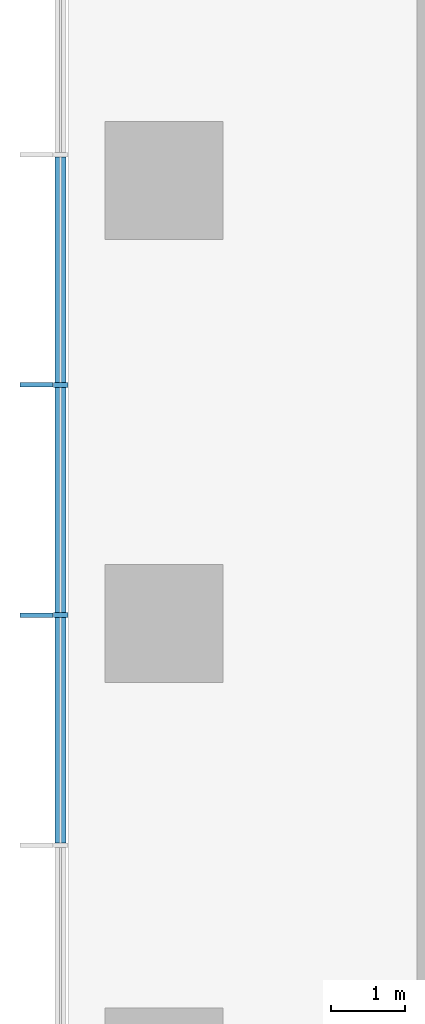
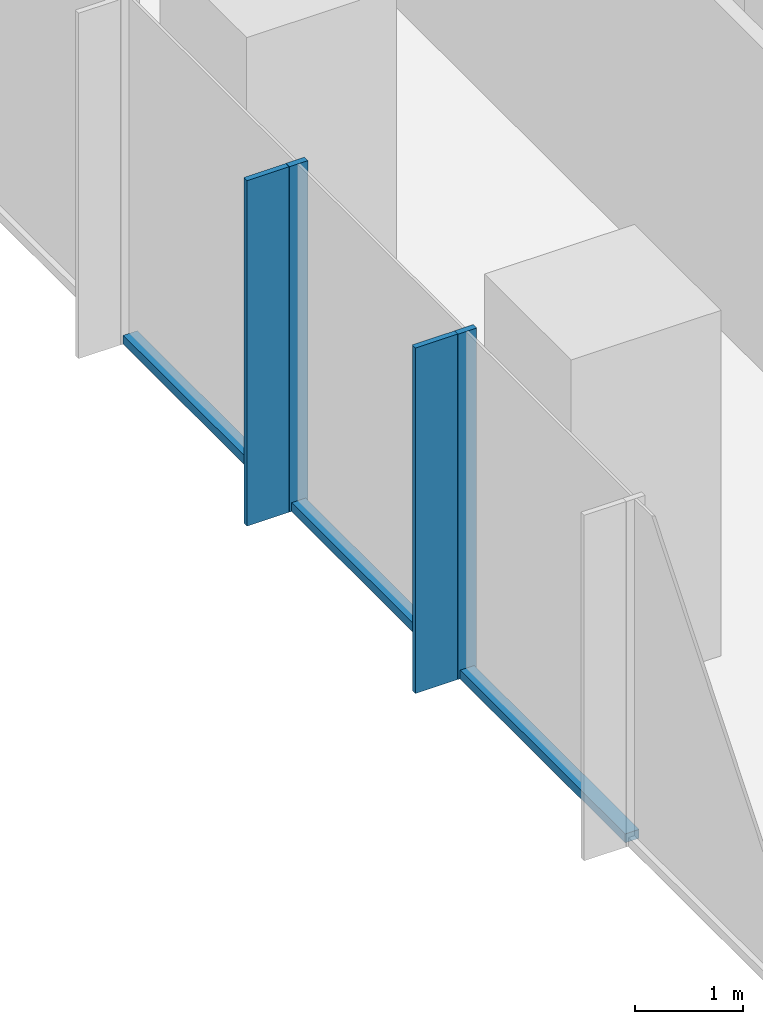
# One storey, part 3 of 11: 7 members, 1 element without a shape of its own.
"""IFC4 building model written with IfcOpenShell, lengths in metres."""

from ifc_helpers import new_model, si_unit, direction, frame, origin, origin_2d, place, context, subcontext, project, spatial, rectangle, extrude, material, layer, layer_set, material_profile, profile_set, type_object, element, aggregate, save


model = new_model("IFC4")

# Units and contexts
model_context = context("Model", 3, precision=1e-05, world=origin(), true_north=direction((0.0, 1.0)))
body_context = subcontext(model_context, "Body", "Model", "MODEL_VIEW")
ifc_project = project(units=[si_unit("LENGTHUNIT", "METRE"), si_unit("AREAUNIT", "SQUARE_METRE"), si_unit("VOLUMEUNIT", "CUBIC_METRE"), si_unit("PLANEANGLEUNIT", "RADIAN"), si_unit("MASSUNIT", "GRAM", prefix="KILO")], contexts=[model_context])

# Site, building, storey
site_placement = place(None, origin())
site = spatial("IfcSite", under=ifc_project, at=site_placement, CompositionType="ELEMENT")
building_placement = place(site_placement, origin())
building = spatial("IfcBuilding", under=site, at=building_placement, Name="Highveld Stack Headquarters", CompositionType="ELEMENT")
storey_placement = place(building_placement, frame((0.0, 0.0, 181.10009765625)))
storey = spatial("IfcBuildingStorey", under=building, at=storey_placement, Name="L44", CompositionType="ELEMENT", Elevation=181.10009765625)

# Curtain wall, members
ifc_material_1 = material(Name="Aluminium bronze anodised", Category="aluminium")
ifc_layer = layer(ifc_material_1, 0.199951171875)
ifc_layer_set = layer_set([ifc_layer], Name="Aluminium bronze anodised")
curtain_wall_type = type_object("IfcCurtainWallType", Name="CW1 TOWER UNITISED CURTAIN WALL", PredefinedType="NOTDEFINED", material=ifc_layer_set)
curtain_wall_placement = place(storey_placement, origin())
curtain_wall = element("IfcCurtainWall", 1, at=curtain_wall_placement, inside=storey, type_object=curtain_wall_type, Name="Curtain wall CW1 L44 W", PredefinedType="NOTDEFINED")
ifc_material_2 = material(Name="Aluminium bronze anodised", Category="aluminium")
ifc_material_profile_1 = material_profile(ifc_material_2, rectangle(XDim=0.449951171875, YDim=0.06005859375, at=origin_2d()), Name="FIN 450x60")
ifc_profile_set_1 = profile_set([ifc_material_profile_1], Name="Aluminium bronze anodised")
member_type_1 = type_object("IfcMemberType", Name="CW1 BRONZE FIN 450x60", PredefinedType="USERDEFINED", material=ifc_profile_set_1)
member_1_placement = place(storey_placement, frame((-13.72509765625, 15.23193359375, 0.0), z_axis=(0.0, 0.0, 1.0), x_axis=(1.0, 0.0, 0.0)))
member_1 = element("IfcMember", 2, at=member_1_placement, type_object=member_type_1, Name="CW1 fin L44 4", ObjectType="FIN", PredefinedType="USERDEFINED", context=body_context, shape_type="SweptSolid", body=[
    extrude(rectangle(XDim=0.449951171875, YDim=0.06005859375, at=origin_2d()), origin(), (0.0, 0.0, 1.0), 3.89990234375),
])
member_2_placement = place(storey_placement, frame((-13.72509765625, 12.115966796875, 0.0), z_axis=(0.0, 0.0, 1.0), x_axis=(1.0, 0.0, 0.0)))
member_2 = element("IfcMember", 3, at=member_2_placement, type_object=member_type_1, Name="CW1 fin L44 5", ObjectType="FIN", PredefinedType="USERDEFINED", context=body_context, shape_type="SweptSolid", body=[
    extrude(rectangle(XDim=0.449951171875, YDim=0.06005859375, at=origin_2d()), origin(), (0.0, 0.0, 1.0), 3.89990234375),
])
ifc_material_3 = material(Name="Aluminium bronze anodised", Category="aluminium")
ifc_material_profile_2 = material_profile(ifc_material_3, rectangle(XDim=0.199951171875, YDim=0.06494140625, at=origin_2d()), Name="CW1 MULLION 65x200")
ifc_profile_set_2 = profile_set([ifc_material_profile_2], Name="Aluminium bronze anodised")
member_type_2 = type_object("IfcMemberType", Name="CW1 MULLION 65x200", PredefinedType="MULLION", material=ifc_profile_set_2)
member_3_placement = place(storey_placement, frame((-13.39990234375, 15.23193359375, 0.0), z_axis=(0.0, 0.0, 1.0), x_axis=(1.0, 0.0, 0.0)))
member_3 = element("IfcMember", 4, at=member_3_placement, type_object=member_type_2, Name="CW1 mullion L44 4", PredefinedType="MULLION", context=body_context, shape_type="SweptSolid", body=[
    extrude(rectangle(XDim=0.199951171875, YDim=0.06494140625, at=origin_2d()), origin(), (0.0, 0.0, 1.0), 3.89990234375),
])
member_4_placement = place(storey_placement, frame((-13.39990234375, 12.115966796875, 0.0), z_axis=(0.0, 0.0, 1.0), x_axis=(1.0, 0.0, 0.0)))
member_4 = element("IfcMember", 5, at=member_4_placement, type_object=member_type_2, Name="CW1 mullion L44 5", PredefinedType="MULLION", context=body_context, shape_type="SweptSolid", body=[
    extrude(rectangle(XDim=0.199951171875, YDim=0.06494140625, at=origin_2d()), origin(), (0.0, 0.0, 1.0), 3.89990234375),
])
ifc_material_4 = material(Name="Aluminium bronze anodised", Category="aluminium")
ifc_material_profile_3 = material_profile(ifc_material_4, rectangle(XDim=0.14990234375, YDim=0.10009765625, at=origin_2d()), Name="CW1 TRANSOM 150x100")
ifc_profile_set_3 = profile_set([ifc_material_profile_3], Name="Aluminium bronze anodised")
member_type_3 = type_object("IfcMemberType", Name="CW1 STACK TRANSOM 150x100", PredefinedType="USERDEFINED", material=ifc_profile_set_3)
member_5_placement = place(storey_placement, frame((-13.39990234375, 18.3154296875, 0.0498046875), z_axis=(0.0, -1.0, 0.0), x_axis=(1.0, 0.0, 0.0)))
member_5 = element("IfcMember", 6, at=member_5_placement, type_object=member_type_3, Name="CW1 transom L44 3.1", ObjectType="TRANSOM", PredefinedType="USERDEFINED", context=body_context, shape_type="SweptSolid", body=[
    extrude(rectangle(XDim=0.14990234375, YDim=0.10009765625, at=origin_2d()), origin(), (0.0, 0.0, 1.0), 3.051025390625),
])
member_6_placement = place(storey_placement, frame((-13.39990234375, 15.199462890625, 0.0498046875), z_axis=(0.0, -1.0, 0.0), x_axis=(1.0, 0.0, 0.0)))
member_6 = element("IfcMember", 7, at=member_6_placement, type_object=member_type_3, Name="CW1 transom L44 4.1", ObjectType="TRANSOM", PredefinedType="USERDEFINED", context=body_context, shape_type="SweptSolid", body=[
    extrude(rectangle(XDim=0.14990234375, YDim=0.10009765625, at=origin_2d()), origin(), (0.0, 0.0, 1.0), 3.051025390625),
])
member_7_placement = place(storey_placement, frame((-13.39990234375, 12.08349609375, 0.0498046875), z_axis=(0.0, -1.0, 0.0), x_axis=(1.0, 0.0, 0.0)))
member_7 = element("IfcMember", 8, at=member_7_placement, type_object=member_type_3, Name="CW1 transom L44 5.1", ObjectType="TRANSOM", PredefinedType="USERDEFINED", context=body_context, shape_type="SweptSolid", body=[
    extrude(rectangle(XDim=0.14990234375, YDim=0.10009765625, at=origin_2d()), origin(), (0.0, 0.0, 1.0), 3.051025390625),
])
aggregate(curtain_wall, [member_3, member_1, member_4, member_2, member_5, member_6, member_7])

save(model, "model.ifc")
